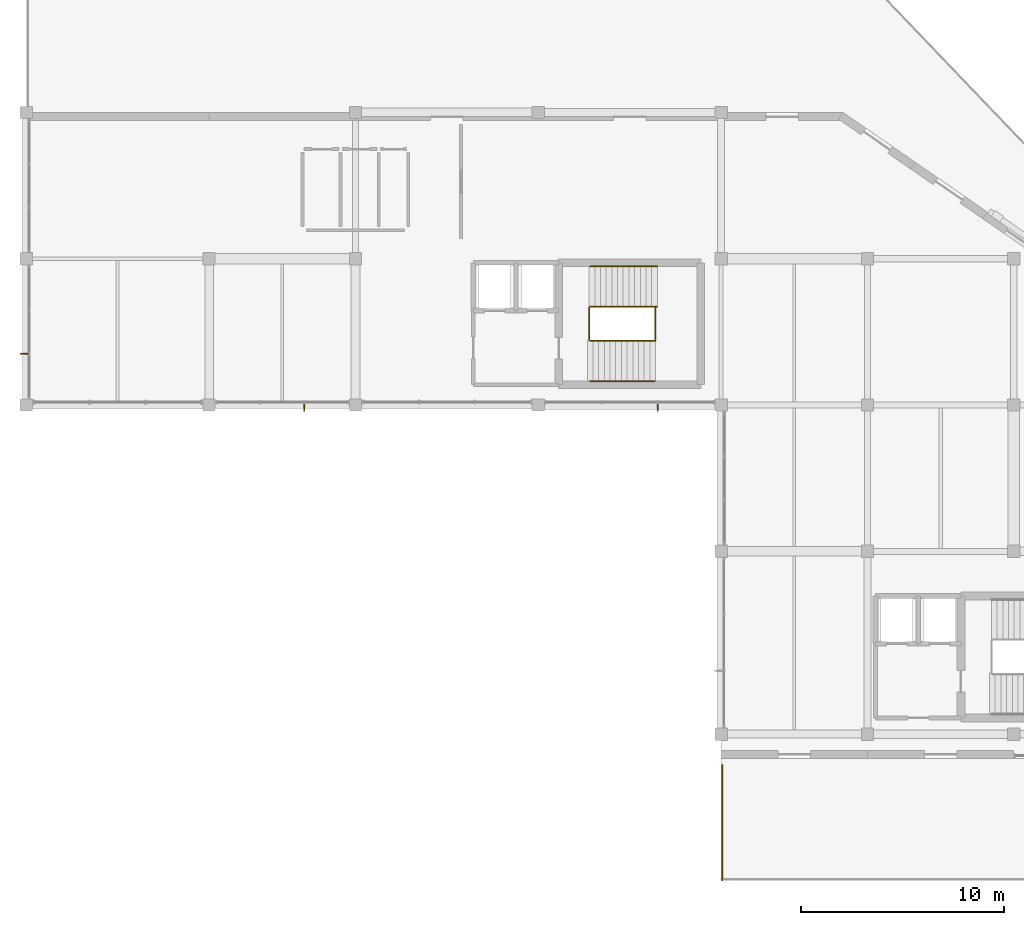
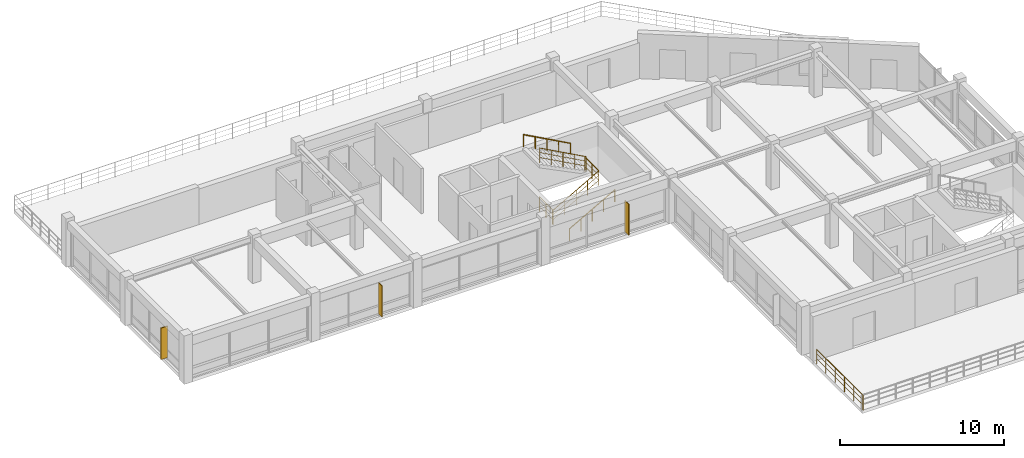
# One storey, part 10 of 12: 7 railings, 3 shading devices.
"""IFC4 building model written with IfcOpenShell, lengths in metres."""

import ifcopenshell
import ifcopenshell.guid

model = None  # the IFC model being written
_history = None  # IfcOwnerHistory: only IFC2X3 demands one
_inside = {}  # id of a spatial element -> (the spatial element, [elements in it])
_under = {}  # id of a project, library or spatial element -> (it, [spatial elements below it])
_declared = {}  # id of a project -> (the project, [libraries it declares])
_typed = {}  # id of a type object -> (the type object, [elements of that type])
_made_of = {}  # id of a material, layer set ... -> (it, [elements and type objects made of it])


def new_model(schema):
    """Start an empty IFC model of exactly this schema.

    Asked for "IFC4X3", IfcOpenShell would pick the latest addendum, in which some entities
    have other attributes; the version numbers below select the first issue.
    IFC2X3 requires an IfcOwnerHistory on every rooted entity: one is made here for all.
    """
    global model, _history
    if schema == "IFC4X3":
        model = ifcopenshell.file(schema_version=(4, 3, 0, 0))
    else:
        model = ifcopenshell.file(schema=schema)
    _inside.clear()
    _under.clear()
    _declared.clear()
    _typed.clear()
    _made_of.clear()
    _history = None
    if model.schema == "IFC2X3":
        org = make("IfcOrganization", Name="unknown")
        user = make(
            "IfcPersonAndOrganization",
            ThePerson=make("IfcPerson", FamilyName="unknown"),
            TheOrganization=org,
        )
        app = make(
            "IfcApplication",
            ApplicationDeveloper=org,
            Version="unknown",
            ApplicationFullName="unknown",
            ApplicationIdentifier="unknown",
        )
        _history = make(
            "IfcOwnerHistory",
            OwningUser=user,
            OwningApplication=app,
            ChangeAction="ADDED",
            CreationDate=0,
        )
    return model


def make(cls, **values):
    """One entity of the class cls with the attributes given. An attribute that is None is left unset."""
    return model.create_entity(
        cls, **{name: value for name, value in values.items() if value is not None}
    )


def rooted(cls, **values):
    """An entity with a GlobalId (a new one), such as an element, a storey or a relation."""
    return make(cls, GlobalId=ifcopenshell.guid.new(), OwnerHistory=_history, **values)


def si_unit(unit_type, name, prefix=None):
    """IfcSIUnit, for example si_unit("LENGTHUNIT", "METRE", prefix="MILLI")."""
    return make("IfcSIUnit", UnitType=unit_type, Prefix=prefix, Name=name)


def assignment(units):
    """IfcUnitAssignment: the units of a project."""
    return None if units is None else make("IfcUnitAssignment", Units=units)


def point(xyz):
    """IfcCartesianPoint."""
    return None if xyz is None else make("IfcCartesianPoint", Coordinates=xyz)


def direction(xyz):
    """IfcDirection."""
    return None if xyz is None else make("IfcDirection", DirectionRatios=xyz)


def frame(location, z_axis=None, x_axis=None):
    """IfcAxis2Placement3D, a coordinate frame: its origin and axes. An axis left out is left unset."""
    return make(
        "IfcAxis2Placement3D",
        Location=point(location),
        Axis=direction(z_axis),
        RefDirection=direction(x_axis),
    )


def frame_2d(location, x_axis=None):
    """IfcAxis2Placement2D, a coordinate frame in the plane: its origin and x axis."""
    return make(
        "IfcAxis2Placement2D", Location=point(location), RefDirection=direction(x_axis)
    )


def origin():
    """The frame at (0, 0, 0) with its axes left unset."""
    return frame((0.0, 0.0, 0.0))


def origin_2d():
    """The frame at (0, 0) in the plane with its x axis left unset."""
    return frame_2d((0.0, 0.0))


def place(relative_to, where):
    """IfcLocalPlacement: puts the frame where relative to a parent placement (None: the world)."""
    return make(
        "IfcLocalPlacement", PlacementRelTo=relative_to, RelativePlacement=where
    )


def context(
    kind, dimensions, precision=None, world=None, true_north=None, identifier=None
):
    """IfcGeometricRepresentationContext, for example the 3D "Model" context."""
    return make(
        "IfcGeometricRepresentationContext",
        ContextIdentifier=identifier,
        ContextType=kind,
        CoordinateSpaceDimension=dimensions,
        Precision=precision,
        WorldCoordinateSystem=world,
        TrueNorth=true_north,
    )


def subcontext(parent, identifier, kind, view, scale=None):
    """IfcGeometricRepresentationSubContext, for example "Body" below "Model"."""
    return make(
        "IfcGeometricRepresentationSubContext",
        ContextIdentifier=identifier,
        ContextType=kind,
        ParentContext=parent,
        TargetScale=scale,
        TargetView=view,
    )


def project(units=None, contexts=None):
    """IfcProject with its units and contexts."""
    return rooted(
        "IfcProject",
        Name="project",
        RepresentationContexts=contexts,
        UnitsInContext=assignment(units),
    )


def spatial(cls, under=None, at=None, **own):
    """A site, building, storey or space (cls), placed at a placement, below another one or the project."""
    s = rooted(cls, ObjectPlacement=at, **own)
    if under is not None:
        _under.setdefault(under.id(), (under, []))[1].append(s)
    return s


def profile(cls, at=None, kind="AREA", **sizes):
    """A parametric profile (cls). Its sizes go by their IFC names, for example OverallWidth=200.0."""
    return make(cls, ProfileType=kind, Position=at, **sizes)


def rectangle(**sizes):
    """IfcRectangleProfileDef."""
    return profile("IfcRectangleProfileDef", **sizes)


def circle(**sizes):
    """IfcCircleProfileDef."""
    return profile("IfcCircleProfileDef", **sizes)


def extrude(swept, where, along, depth):
    """IfcExtrudedAreaSolid: the profile swept, set in the frame where, extruded along a direction by depth."""
    return make(
        "IfcExtrudedAreaSolid",
        SweptArea=swept,
        Position=where,
        ExtrudedDirection=direction(along),
        Depth=depth,
    )


def shape(context_of_items, identifier, shape_type, items):
    """IfcShapeRepresentation: the items that make up one representation, for example the "Body"."""
    return make(
        "IfcShapeRepresentation",
        ContextOfItems=context_of_items,
        RepresentationIdentifier=identifier,
        RepresentationType=shape_type,
        Items=items,
    )


def material(Name=None, Category=None):
    """IfcMaterial."""
    return make("IfcMaterial", Name=Name, Category=Category)


def layer(
    of_material, thickness, ventilated=None, Name=None, Category=None, Priority=None
):
    """IfcMaterialLayer: one layer of a wall or slab, of a material (None: an air gap)."""
    return make(
        "IfcMaterialLayer",
        Material=of_material,
        LayerThickness=thickness,
        IsVentilated=ventilated,
        Name=Name,
        Category=Category,
        Priority=Priority,
    )


def layer_set(layers, Name=None):
    """IfcMaterialLayerSet."""
    return make("IfcMaterialLayerSet", MaterialLayers=layers, LayerSetName=Name)


def made_of(thing, what):
    """Note that an element or type object is made of a material, layer set ...; save() writes the relation."""
    if what is not None:
        _made_of.setdefault(what.id(), (what, []))[1].append(thing)
    return thing


def type_object(cls, material=None, **own):
    """A type object (cls), such as IfcWallType, which elements share."""
    return made_of(rooted(cls, **own), material)


def element(
    cls,
    number,
    at=None,
    inside=None,
    cuts=None,
    type_object=None,
    material=None,
    context=None,
    identifier="Body",
    shape_type=None,
    held_by="IfcProductDefinitionShape",
    body=None,
    shapes=None,
    **own,
):
    """One element of the class cls, such as IfcWall. Its Tag is "e" and its number.

    at: its placement. inside: the storey or other place that contains it. cuts: it is an
    opening in that element (IfcRelVoidsElement). A single representation is given by context,
    identifier, shape_type and body (its items); several are given by shapes. held_by: the class
    of the entity that holds the representations. save() writes the other relations.
    """
    e = rooted(cls, Tag="e%d" % number, ObjectPlacement=at, **own)
    if body is not None:
        shapes = [shape(context, identifier, shape_type, body)]
    if shapes is not None:
        e.Representation = make(held_by, Representations=shapes)
    if inside is not None:
        _inside.setdefault(inside.id(), (inside, []))[1].append(e)
    if cuts is not None:
        rooted(
            "IfcRelVoidsElement", RelatingBuildingElement=cuts, RelatedOpeningElement=e
        )
    if type_object is not None:
        _typed.setdefault(type_object.id(), (type_object, []))[1].append(e)
    return made_of(e, material)


def aggregate(whole, parts):
    """IfcRelAggregates: a whole, such as a stair, and the parts it consists of."""
    return rooted("IfcRelAggregates", RelatingObject=whole, RelatedObjects=parts)


def save(model, path):
    """Write the relations noted so far, then the file.

    IfcRelAggregates (storeys below a building ...), IfcRelContainedInSpatialStructure (elements
    in a storey), IfcRelDefinesByType, IfcRelAssociatesMaterial and IfcRelDeclares: one each for
    every whole, place, type object, material and project.
    """
    for whole, parts in _under.values():
        aggregate(whole, parts)
    for where, things in _inside.values():
        rooted(
            "IfcRelContainedInSpatialStructure",
            RelatedElements=things,
            RelatingStructure=where,
        )
    for kind, things in _typed.values():
        rooted("IfcRelDefinesByType", RelatedObjects=things, RelatingType=kind)
    for what, things in _made_of.values():
        rooted("IfcRelAssociatesMaterial", RelatedObjects=things, RelatingMaterial=what)
    for by, libraries in _declared.values():
        rooted("IfcRelDeclares", RelatingContext=by, RelatedDefinitions=libraries)
    model.write(path)


model = new_model("IFC4")

# Units and contexts
model_context = context("Model", 3, precision=1e-05, world=origin(), true_north=direction((0.0, 1.0)))
body_context = subcontext(model_context, "Body", "Model", "MODEL_VIEW")
ifc_project = project(units=[si_unit("LENGTHUNIT", "METRE"), si_unit("AREAUNIT", "SQUARE_METRE"), si_unit("VOLUMEUNIT", "CUBIC_METRE"), si_unit("PLANEANGLEUNIT", "RADIAN"), si_unit("MASSUNIT", "GRAM", prefix="KILO")], contexts=[model_context])

# Site, building, storey
site_placement = place(None, origin())
site = spatial("IfcSite", under=ifc_project, at=site_placement, CompositionType="ELEMENT")
building_placement = place(site_placement, origin())
building = spatial("IfcBuilding", under=site, at=building_placement, Name="Clarverna Civic Hall", CompositionType="ELEMENT")
storey_placement = place(building_placement, frame((0.0, 0.0, 24.0)))
storey = spatial("IfcBuildingStorey", under=building, at=storey_placement, Name="L06", CompositionType="ELEMENT", Elevation=24.0)

# Railings
ifc_material_1 = material(Name="Anodised Bronze Architectural Balustrade")
railing_type_1 = type_object("IfcRailingType", Name="GR-01", PredefinedType="BALUSTRADE", material=ifc_material_1)
railing_1_placement = place(storey_placement, frame((147.659912109375, 71.60009765625, 0.0)))
element("IfcRailing", 1, at=railing_1_placement, inside=storey, type_object=railing_type_1, Name="GR-01-045", PredefinedType="BALUSTRADE", context=body_context, shape_type="SweptSolid", body=[
    extrude(circle(Radius=0.02392578125, at=origin_2d()), frame((0.0, 0.0, 1.09619140625), z_axis=(0.0, 1.0, 0.0), x_axis=(-1.0, 0.0, 0.0)), (0.0, 0.0, 1.0), 5.679931640625),
    extrude(circle(Radius=0.011962890625, at=origin_2d()), frame((0.0, 0.0, 0.39208984375), z_axis=(0.0, 1.0, 0.0), x_axis=(-1.0, 0.0, 0.0)), (0.0, 0.0, 1.0), 5.679931640625),
    extrude(circle(Radius=0.011962890625, at=origin_2d()), frame((0.0, 0.0, 0.76171875), z_axis=(0.0, 1.0, 0.0), x_axis=(-1.0, 0.0, 0.0)), (0.0, 0.0, 1.0), 5.679931640625),
    extrude(circle(Radius=0.02099609375, at=origin_2d()), origin(), (0.0, 0.0, 1.0), 1.072021484375),
    extrude(circle(Radius=0.02099609375, at=origin_2d()), frame((0.0, 1.135986328125, 0.0)), (0.0, 0.0, 1.0), 1.072021484375),
    extrude(circle(Radius=0.02099609375, at=origin_2d()), frame((0.0, 2.27197265625, 0.0)), (0.0, 0.0, 1.0), 1.072021484375),
    extrude(circle(Radius=0.02099609375, at=origin_2d()), frame((0.0, 3.407958984375, 0.0)), (0.0, 0.0, 1.0), 1.072021484375),
    extrude(circle(Radius=0.02099609375, at=origin_2d()), frame((0.0, 4.5439453125, 0.0)), (0.0, 0.0, 1.0), 1.072021484375),
    extrude(circle(Radius=0.02099609375, at=origin_2d()), frame((0.0, 5.679931640625, 0.0)), (0.0, 0.0, 1.0), 1.072021484375),
])
railing_type_2 = type_object("IfcRailingType", Name="GR-02", PredefinedType="BALUSTRADE", material=ifc_material_1)
railing_2_placement = place(storey_placement, frame((141.14990234375, 98.159912109375, 0.0)))
element("IfcRailing", 2, at=railing_2_placement, inside=storey, type_object=railing_type_2, Name="GR-02-031", PredefinedType="BALUSTRADE", context=body_context, shape_type="SweptSolid", body=[
    extrude(circle(Radius=0.02392578125, at=origin_2d()), frame((0.0, 0.0, 1.09619140625), z_axis=(0.871901705862, 0.0, 0.489680932154), x_axis=(0.0, 1.0, 0.0)), (0.0, 0.0, 1.0), 3.676025390625),
    extrude(circle(Radius=0.011962890625, at=origin_2d()), frame((0.0, 0.0, 0.39208984375), z_axis=(0.871901705862, 0.0, 0.489680932154), x_axis=(0.0, 1.0, 0.0)), (0.0, 0.0, 1.0), 3.676025390625),
    extrude(circle(Radius=0.011962890625, at=origin_2d()), frame((0.0, 0.0, 0.76171875), z_axis=(0.871901705862, 0.0, 0.489680932154), x_axis=(0.0, 1.0, 0.0)), (0.0, 0.0, 1.0), 3.676025390625),
    extrude(circle(Radius=0.02099609375, at=origin_2d()), origin(), (0.0, 0.0, 1.0), 1.072021484375),
    extrude(circle(Radius=0.02099609375, at=origin_2d()), frame((0.80126953125, 0.0, 0.449951171875)), (0.0, 0.0, 1.0), 1.072021484375),
    extrude(circle(Radius=0.02099609375, at=origin_2d()), frame((1.6025390625, 0.0, 0.89990234375)), (0.0, 0.0, 1.0), 1.072021484375),
    extrude(circle(Radius=0.02099609375, at=origin_2d()), frame((2.40380859375, 0.0, 1.35009765625)), (0.0, 0.0, 1.0), 1.072021484375),
    extrude(circle(Radius=0.02099609375, at=origin_2d()), frame((3.205078125, 0.0, 1.800048828125)), (0.0, 0.0, 1.0), 1.072021484375),
])
railing_3_placement = place(storey_placement, frame((144.35498046875, 98.159912109375, 1.800048828125)))
element("IfcRailing", 3, at=railing_3_placement, inside=storey, type_object=railing_type_2, Name="GR-02-032", PredefinedType="BALUSTRADE", context=body_context, shape_type="SweptSolid", body=[
    extrude(circle(Radius=0.02392578125, at=origin_2d()), frame((0.0, 0.0, 1.09619140625), z_axis=(0.0, 1.0, 0.0), x_axis=(-1.0, 0.0, 0.0)), (0.0, 0.0, 1.0), 1.68017578125),
    extrude(circle(Radius=0.011962890625, at=origin_2d()), frame((0.0, 0.0, 0.39208984375), z_axis=(0.0, 1.0, 0.0), x_axis=(-1.0, 0.0, 0.0)), (0.0, 0.0, 1.0), 1.68017578125),
    extrude(circle(Radius=0.011962890625, at=origin_2d()), frame((0.0, 0.0, 0.76171875), z_axis=(0.0, 1.0, 0.0), x_axis=(-1.0, 0.0, 0.0)), (0.0, 0.0, 1.0), 1.68017578125),
    extrude(circle(Radius=0.02099609375, at=origin_2d()), origin(), (0.0, 0.0, 1.0), 1.072021484375),
    extrude(circle(Radius=0.02099609375, at=origin_2d()), frame((0.0, 0.840087890625, 0.0)), (0.0, 0.0, 1.0), 1.072021484375),
    extrude(circle(Radius=0.02099609375, at=origin_2d()), frame((0.0, 1.68017578125, 0.0)), (0.0, 0.0, 1.0), 1.072021484375),
])
railing_4_placement = place(storey_placement, frame((144.445068359375, 99.840087890625, 1.800048828125)))
element("IfcRailing", 4, at=railing_4_placement, inside=storey, type_object=railing_type_2, Name="GR-02-033", PredefinedType="BALUSTRADE", context=body_context, shape_type="SweptSolid", body=[
    extrude(circle(Radius=0.02392578125, at=origin_2d()), frame((0.0, 0.0, 1.09619140625), z_axis=(-0.877594727342, 0.0, 0.479403269222), x_axis=(0.0, -1.0, 0.0)), (0.0, 0.0, 1.0), 3.7548828125),
    extrude(circle(Radius=0.011962890625, at=origin_2d()), frame((0.0, 0.0, 0.39208984375), z_axis=(-0.877594727342, 0.0, 0.479403269222), x_axis=(0.0, -1.0, 0.0)), (0.0, 0.0, 1.0), 3.7548828125),
    extrude(circle(Radius=0.011962890625, at=origin_2d()), frame((0.0, 0.0, 0.76171875), z_axis=(-0.877594727342, 0.0, 0.479403269222), x_axis=(0.0, -1.0, 0.0)), (0.0, 0.0, 1.0), 3.7548828125),
    extrude(circle(Radius=0.02099609375, at=origin_2d()), origin(), (0.0, 0.0, 1.0), 1.072021484375),
    extrude(circle(Radius=0.02099609375, at=origin_2d()), frame((-0.82373046875, 0.0, 0.449951171875)), (0.0, 0.0, 1.0), 1.072021484375),
    extrude(circle(Radius=0.02099609375, at=origin_2d()), frame((-1.6474609375, 0.0, 0.89990234375)), (0.0, 0.0, 1.0), 1.072021484375),
    extrude(circle(Radius=0.02099609375, at=origin_2d()), frame((-2.471435546875, 0.0, 1.35009765625)), (0.0, 0.0, 1.0), 1.072021484375),
    extrude(circle(Radius=0.02099609375, at=origin_2d()), frame((-3.295166015625, 0.0, 1.800048828125)), (0.0, 0.0, 1.0), 1.072021484375),
])
railing_5_placement = place(storey_placement, frame((141.110107421875, 98.199951171875, 0.0)))
element("IfcRailing", 5, at=railing_5_placement, inside=storey, type_object=railing_type_2, Name="GR-02-034", PredefinedType="BALUSTRADE", context=body_context, shape_type="SweptSolid", body=[
    extrude(circle(Radius=0.02392578125, at=origin_2d()), frame((0.0, 0.0, 1.09619140625), z_axis=(0.0, 1.0, 0.0), x_axis=(-1.0, 0.0, 0.0)), (0.0, 0.0, 1.0), 1.60009765625),
    extrude(circle(Radius=0.011962890625, at=origin_2d()), frame((0.0, 0.0, 0.39208984375), z_axis=(0.0, 1.0, 0.0), x_axis=(-1.0, 0.0, 0.0)), (0.0, 0.0, 1.0), 1.60009765625),
    extrude(circle(Radius=0.011962890625, at=origin_2d()), frame((0.0, 0.0, 0.76171875), z_axis=(0.0, 1.0, 0.0), x_axis=(-1.0, 0.0, 0.0)), (0.0, 0.0, 1.0), 1.60009765625),
    extrude(circle(Radius=0.02099609375, at=origin_2d()), origin(), (0.0, 0.0, 1.0), 1.072021484375),
    extrude(circle(Radius=0.02099609375, at=origin_2d()), frame((0.0, 0.800048828125, 0.0)), (0.0, 0.0, 1.0), 1.072021484375),
    extrude(circle(Radius=0.02099609375, at=origin_2d()), frame((0.0, 1.60009765625, 0.0)), (0.0, 0.0, 1.0), 1.072021484375),
])
ifc_material_2 = material(Name="Anodised Bronze Continuous Handrail")
railing_type_3 = type_object("IfcRailingType", Name="HR-01", PredefinedType="HANDRAIL", material=ifc_material_2)
railing_6_placement = place(storey_placement, frame((141.14990234375, 96.179931640625, 0.0)))
element("IfcRailing", 6, at=railing_6_placement, inside=storey, type_object=railing_type_3, Name="HR-01-015", PredefinedType="HANDRAIL", context=body_context, shape_type="SweptSolid", body=[
    extrude(circle(Radius=0.02392578125, at=origin_2d()), frame((0.0, 0.0, 0.89599609375), z_axis=(0.870925075533, 0.0, 0.491415824742), x_axis=(0.0, 1.0, 0.0)), (0.0, 0.0, 1.0), 3.6630859375),
    extrude(circle(Radius=0.02099609375, at=origin_2d()), origin(), (0.0, 0.0, 1.0), 0.871826171875),
    extrude(circle(Radius=0.02099609375, at=origin_2d()), frame((0.797607421875, 0.0, 0.449951171875)), (0.0, 0.0, 1.0), 0.871826171875),
    extrude(circle(Radius=0.02099609375, at=origin_2d()), frame((1.59521484375, 0.0, 0.89990234375)), (0.0, 0.0, 1.0), 0.871826171875),
    extrude(circle(Radius=0.02099609375, at=origin_2d()), frame((2.392578125, 0.0, 1.35009765625)), (0.0, 0.0, 1.0), 0.871826171875),
    extrude(circle(Radius=0.02099609375, at=origin_2d()), frame((3.190185546875, 0.0, 1.800048828125)), (0.0, 0.0, 1.0), 0.871826171875),
])
railing_7_placement = place(storey_placement, frame((144.4599609375, 101.820068359375, 1.800048828125)))
element("IfcRailing", 7, at=railing_7_placement, inside=storey, type_object=railing_type_3, Name="HR-01-016", PredefinedType="HANDRAIL", context=body_context, shape_type="SweptSolid", body=[
    extrude(circle(Radius=0.02392578125, at=origin_2d()), frame((0.0, 0.0, 0.89599609375), z_axis=(-0.878501555178, 0.0, 0.477739487116), x_axis=(0.0, -1.0, 0.0)), (0.0, 0.0, 1.0), 3.767822265625),
    extrude(circle(Radius=0.02099609375, at=origin_2d()), origin(), (0.0, 0.0, 1.0), 0.871826171875),
    extrude(circle(Radius=0.02099609375, at=origin_2d()), frame((-0.82763671875, 0.0, 0.449951171875)), (0.0, 0.0, 1.0), 0.871826171875),
    extrude(circle(Radius=0.02099609375, at=origin_2d()), frame((-1.655029296875, 0.0, 0.89990234375)), (0.0, 0.0, 1.0), 0.871826171875),
    extrude(circle(Radius=0.02099609375, at=origin_2d()), frame((-2.482421875, 0.0, 1.35009765625)), (0.0, 0.0, 1.0), 0.871826171875),
    extrude(circle(Radius=0.02099609375, at=origin_2d()), frame((-3.31005859375, 0.0, 1.800048828125)), (0.0, 0.0, 1.0), 0.871826171875),
])

# Shading devices
ifc_material_3 = material(Name="Anodised Bronze Architectural Solar Fin", Category="aluminium")
ifc_layer = layer(ifc_material_3, 0.054931640625)
ifc_layer_set = layer_set([ifc_layer], Name="Anodised Bronze Architectural Solar Fin")
shading_device_type = type_object("IfcShadingDeviceType", Name="SD-FN1", PredefinedType="USERDEFINED", material=ifc_layer_set)
shading_device_placement = place(storey_placement, frame((113.570068359375, 97.5244140625, 0.14990234375), z_axis=(0.0, 0.0, 1.0), x_axis=(-1.0, 0.0, 0.0)))
element("IfcShadingDevice", 8, at=shading_device_placement, inside=storey, type_object=shading_device_type, Name="SD-FN1-074", ObjectType="FIN", PredefinedType="USERDEFINED", context=body_context, shape_type="SweptSolid", body=[
    extrude(rectangle(XDim=0.47998046875, YDim=0.054931640625, at=frame_2d((0.239990234375, 0.0))), origin(), (0.0, 0.0, 1.0), 2.360107421875),
])
for number, where, z_axis, x_axis, name in (
    (9, (144.4755859375, 95.169921875, 0.14990234375), (0.0, 0.0, 1.0), (0.0, -1.0, 0.0), "SD-FN1-078"),
    (10, (127.07568359375, 95.169921875, 0.14990234375), (0.0, 0.0, 1.0), (0.0, -1.0, 0.0), "SD-FN1-079"),
):
    element("IfcShadingDevice", number, at=place(storey_placement, frame(where, z_axis=z_axis, x_axis=x_axis)), inside=storey, type_object=shading_device_type, Name=name, ObjectType="FIN", PredefinedType="USERDEFINED", context=body_context, shape_type="SweptSolid", body=[
        extrude(rectangle(XDim=0.47998046875, YDim=0.054931640625, at=frame_2d((0.239990234375, 0.0))), origin(), (0.0, 0.0, 1.0), 2.320068359375),
    ])

save(model, "model.ifc")
